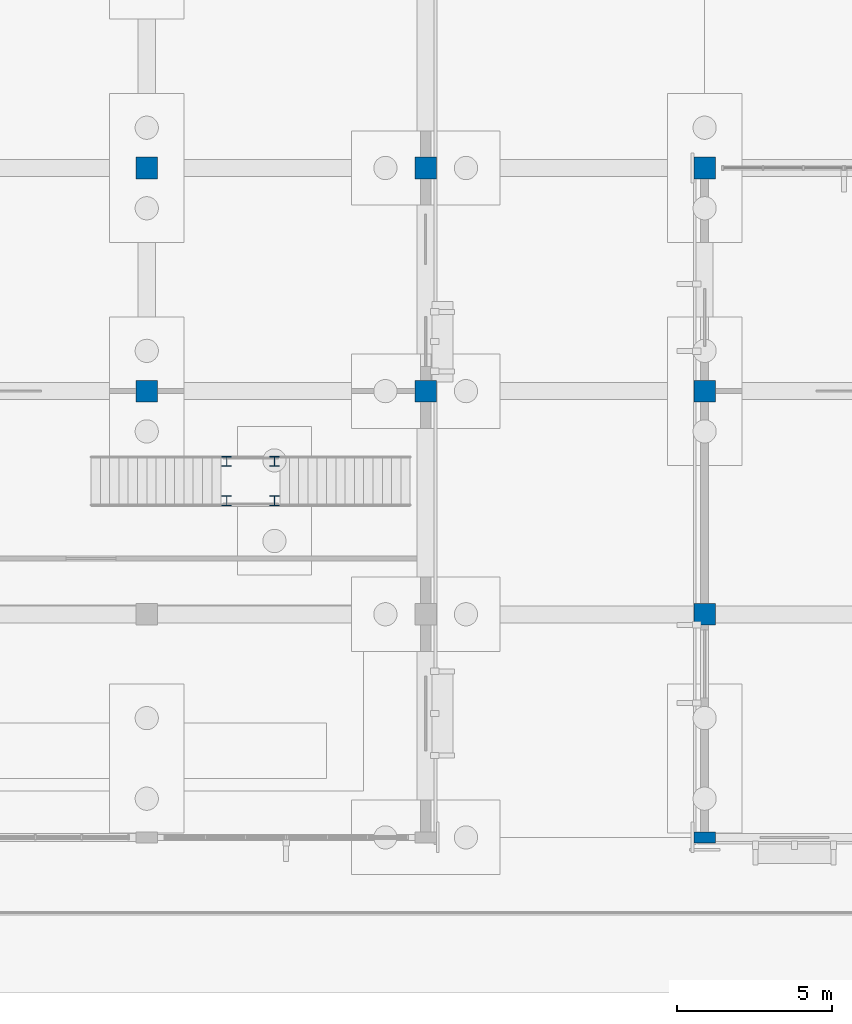
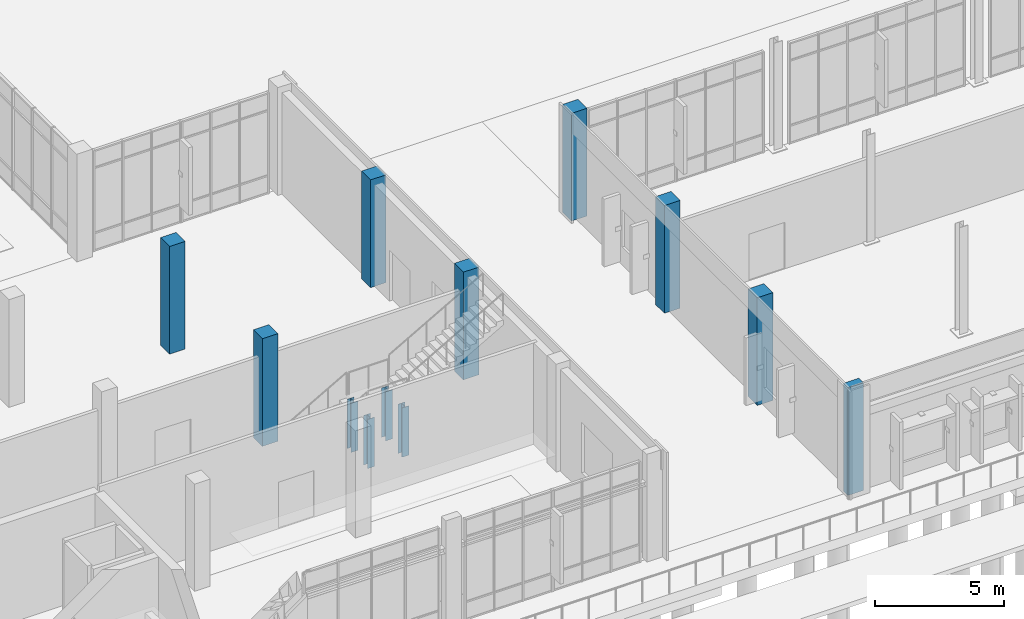
# One storey, part 16 of 94: 12 columns.
"""IFC4 building model written with IfcOpenShell, lengths in metres."""

from ifc_helpers import new_model, si_unit, direction, frame, origin, origin_2d, place, context, subcontext, project, spatial, rectangle, i_section, extrude, material, material_profile, profile_set, type_object, element, save


model = new_model("IFC4")

# Units and contexts
model_context = context("Model", 3, precision=1e-05, world=origin(), true_north=direction((0.0, 1.0)))
body_context = subcontext(model_context, "Body", "Model", "MODEL_VIEW")
ifc_project = project(units=[si_unit("LENGTHUNIT", "METRE"), si_unit("AREAUNIT", "SQUARE_METRE"), si_unit("VOLUMEUNIT", "CUBIC_METRE"), si_unit("PLANEANGLEUNIT", "RADIAN"), si_unit("MASSUNIT", "GRAM", prefix="KILO")], contexts=[model_context])

# Site, building, storey
site_placement = place(None, origin())
site = spatial("IfcSite", under=ifc_project, at=site_placement, CompositionType="ELEMENT")
building_placement = place(site_placement, origin())
building = spatial("IfcBuilding", under=site, at=building_placement, Name="Vervanel Yard Central Library", CompositionType="ELEMENT")
storey_placement = place(building_placement, origin())
storey = spatial("IfcBuildingStorey", under=building, at=storey_placement, Name="L00", CompositionType="ELEMENT", Elevation=0.0)

# Columns
ifc_material_1 = material(Name="Concrete C40/50", Category="concrete")
ifc_material_profile_1 = material_profile(ifc_material_1, rectangle(XDim=0.699951171875, YDim=0.699951171875, at=origin_2d()), Name="RC 700x700", Category="concrete")
ifc_profile_set_1 = profile_set([ifc_material_profile_1], Name="Concrete C40/50")
column_type_1 = type_object("IfcColumnType", Name="Concrete Column 700x700", PredefinedType="COLUMN", material=ifc_profile_set_1)
for number, where, z_axis, x_axis, name in (
    (1, (36.0, 14.39990234375, 0.0), (0.0, 0.0, 1.0), (1.0, 0.0, 0.0), "L00 Concrete Column 700x700 (36.0, 14.4)"),
    (2, (36.0, 21.60009765625, 0.0), (0.0, 0.0, 1.0), (1.0, 0.0, 0.0), "L00 Concrete Column 700x700 (36.0, 21.6)"),
    (3, (45.0, 14.39990234375, 0.0), (0.0, 0.0, 1.0), (1.0, 0.0, 0.0), "L00 Concrete Column 700x700 (45.0, 14.4)"),
    (4, (45.0, 21.60009765625, 0.0), (0.0, 0.0, 1.0), (1.0, 0.0, 0.0), "L00 Concrete Column 700x700 (45.0, 21.6)"),
    (5, (54.0, 7.199951171875, 0.0), (0.0, 0.0, 1.0), (1.0, 0.0, 0.0), "L00 Concrete Column 700x700 (54.0, 7.2)"),
    (6, (54.0, 14.39990234375, 0.0), (0.0, 0.0, 1.0), (1.0, 0.0, 0.0), "L00 Concrete Column 700x700 (54.0, 14.4)"),
    (7, (54.0, 21.60009765625, 0.0), (0.0, 0.0, 1.0), (1.0, 0.0, 0.0), "L00 Concrete Column 700x700 (54.0, 21.6)"),
):
    element("IfcColumn", number, at=place(storey_placement, frame(where, z_axis=z_axis, x_axis=x_axis)), inside=storey, type_object=column_type_1, Name=name, PredefinedType="COLUMN", context=body_context, shape_type="SweptSolid", body=[
        extrude(rectangle(XDim=0.699951171875, YDim=0.699951171875, at=origin_2d()), origin(), (0.0, 0.0, 1.0), 5.10009765625),
    ])
ifc_material_profile_2 = material_profile(ifc_material_1, rectangle(XDim=0.35009765625, YDim=0.699951171875, at=origin_2d()), Name="RC 350x700", Category="concrete")
ifc_profile_set_2 = profile_set([ifc_material_profile_2], Name="Concrete C40/50")
column_type_2 = type_object("IfcColumnType", Name="Perimeter Pilaster 350x700", PredefinedType="PILASTER", material=ifc_profile_set_2)
column_placement = place(storey_placement, frame((54.0, 0.0, 0.0), z_axis=(0.0, 0.0, 1.0), x_axis=(0.0, 1.0, 0.0)))
element("IfcColumn", 8, at=column_placement, inside=storey, type_object=column_type_2, Name="L00 Perimeter Pilaster 350x700 (54.0, 0.0)", PredefinedType="PILASTER", context=body_context, shape_type="SweptSolid", body=[
    extrude(rectangle(XDim=0.35009765625, YDim=0.699951171875, at=origin_2d()), origin(), (0.0, 0.0, 1.0), 5.10009765625),
])
ifc_material_2 = material(Name="Steel ASTM A992 Grade 50", Category="steel")
ifc_material_profile_3 = material_profile(ifc_material_2, i_section(OverallWidth=0.307373046875, OverallDepth=0.31494140625, WebThickness=0.011962890625, FlangeThickness=0.0185546875, at=origin_2d()), Name="W12X79", Category="steel")
ifc_profile_set_3 = profile_set([ifc_material_profile_3], Name="Steel ASTM A992 Grade 50")
column_type_3 = type_object("IfcColumnType", Name="Steel Column W12X79", PredefinedType="COLUMN", material=ifc_profile_set_3)
for number, where, z_axis, x_axis, name in (
    (9, (38.580078125, 10.864990234375, 0.0), (0.0, 0.0, 1.0), (1.0, 0.0, 0.0), "L00 Feature Stair FS-ST-07 Landing Post 17"),
    (10, (40.1201171875, 10.864990234375, 0.0), (0.0, 0.0, 1.0), (1.0, 0.0, 0.0), "L00 Feature Stair FS-ST-07 Landing Post 18"),
    (11, (38.580078125, 12.135009765625, 0.0), (0.0, 0.0, 1.0), (1.0, 0.0, 0.0), "L00 Feature Stair FS-ST-07 Landing Post 19"),
    (12, (40.1201171875, 12.135009765625, 0.0), (0.0, 0.0, 1.0), (1.0, 0.0, 0.0), "L00 Feature Stair FS-ST-07 Landing Post 20"),
):
    element("IfcColumn", number, at=place(storey_placement, frame(where, z_axis=z_axis, x_axis=x_axis)), inside=storey, type_object=column_type_3, Name=name, PredefinedType="COLUMN", context=body_context, shape_type="SweptSolid", body=[
        extrude(i_section(OverallWidth=0.307373046875, OverallDepth=0.31494140625, WebThickness=0.011962890625, FlangeThickness=0.0185546875, at=origin_2d()), origin(), (0.0, 0.0, 1.0), 2.330078125),
    ])

save(model, "model.ifc")
